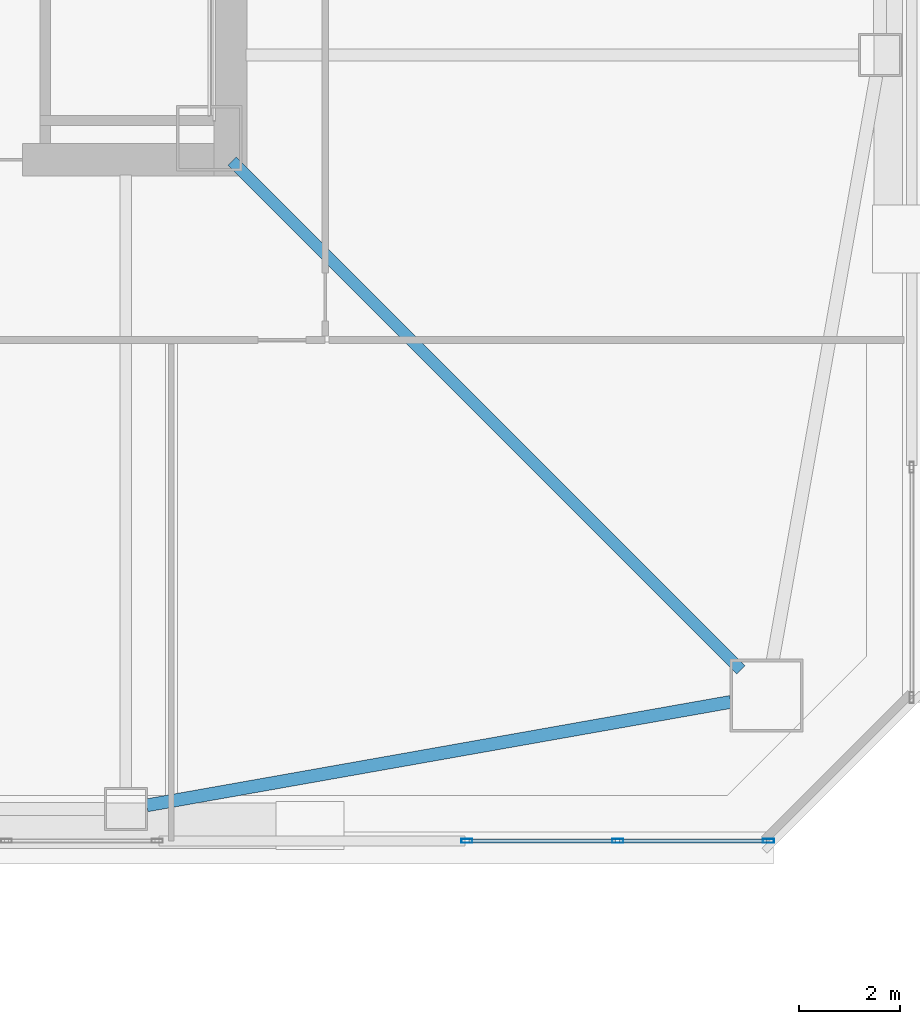
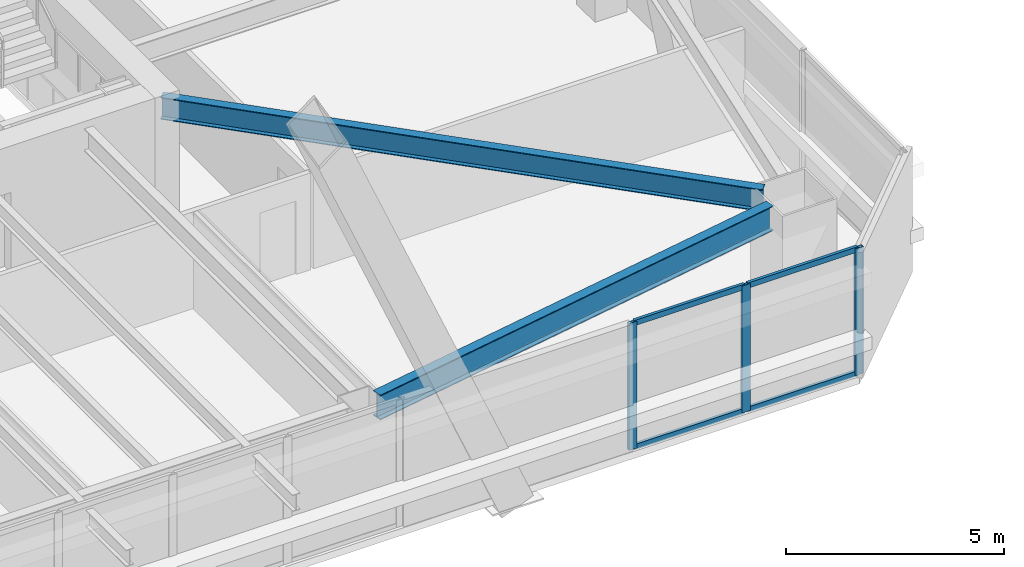
# One storey, part 12 of 54: 7 members, 2 beams, 1 element without a shape of its own.
"""IFC4 building model written with IfcOpenShell, lengths in metres."""

from ifc_helpers import new_model, si_unit, direction, frame, origin, origin_2d, place, context, subcontext, project, spatial, hollow_rectangle, i_section, extrude, material, material_profile, profile_set, type_object, element, aggregate, save


model = new_model("IFC4")

# Units and contexts
model_context = context("Model", 3, precision=1e-05, world=origin(), true_north=direction((0.0, 1.0)))
body_context = subcontext(model_context, "Body", "Model", "MODEL_VIEW")
ifc_project = project(units=[si_unit("LENGTHUNIT", "METRE"), si_unit("AREAUNIT", "SQUARE_METRE"), si_unit("VOLUMEUNIT", "CUBIC_METRE"), si_unit("PLANEANGLEUNIT", "RADIAN"), si_unit("MASSUNIT", "GRAM", prefix="KILO")], contexts=[model_context])

# Site, building, storey
site_placement = place(None, origin())
site = spatial("IfcSite", under=ifc_project, at=site_placement, CompositionType="ELEMENT")
building_placement = place(site_placement, origin())
building = spatial("IfcBuilding", under=site, at=building_placement, Name="Tashvorn Skyway Center", CompositionType="ELEMENT")
storey_placement = place(building_placement, frame((0.0, 0.0, 88.5)))
storey = spatial("IfcBuildingStorey", under=building, at=storey_placement, Name="L23", CompositionType="ELEMENT", Elevation=88.5)

# Beams
ifc_material_1 = material(Name="Steel ASTM A992 Grade 50", Category="steel")
ifc_material_profile_1 = material_profile(ifc_material_1, i_section(OverallWidth=0.22998046875, OverallDepth=0.616943359375, WebThickness=0.01318359375, FlangeThickness=0.022216796875, at=origin_2d()), Name="W24X94")
ifc_profile_set_1 = profile_set([ifc_material_profile_1], Name="Steel ASTM A992 Grade 50")
beam_type_1 = type_object("IfcBeamType", Name="BM-BEAM-W24X94", PredefinedType="BEAM", material=ifc_profile_set_1)
beam_1_placement = place(storey_placement, frame((59.5908203125, 14.4091796875, 3.04150390625), z_axis=(-0.707106781187, 0.707106781187, 0.0), x_axis=(-0.707106781187, -0.707106781187, 0.0)))
element("IfcBeam", 1, at=beam_1_placement, inside=storey, type_object=beam_type_1, Name="Tower 1 L23 Primary Floor Girder MC-SE", PredefinedType="BEAM", context=body_context, shape_type="SweptSolid", body=[
    extrude(i_section(OverallWidth=0.22998046875, OverallDepth=0.616943359375, WebThickness=0.01318359375, FlangeThickness=0.022216796875, at=origin_2d()), origin(), (0.0, 0.0, 1.0), 14.261962890625),
])
ifc_material_profile_2 = material_profile(ifc_material_1, i_section(OverallWidth=0.256103515625, OverallDepth=0.693115234375, WebThickness=0.014404296875, FlangeThickness=0.023681640625, at=origin_2d()), Name="W27X114")
ifc_profile_set_2 = profile_set([ifc_material_profile_2], Name="Steel ASTM A992 Grade 50")
beam_type_2 = type_object("IfcBeamType", Name="BM-SPANDREL-W27X114", PredefinedType="SPANDREL", material=ifc_profile_set_2)
beam_2_placement = place(storey_placement, frame((47.8134765625, 11.723388671875, 3.00341796875), z_axis=(0.98466816531, 0.174437966698, 0.0), x_axis=(-0.174437966698, 0.98466816531, 0.0)))
element("IfcBeam", 2, at=beam_2_placement, inside=storey, type_object=beam_type_2, Name="Tower 1 L23 Spandrel Beam 03", PredefinedType="SPANDREL", context=body_context, shape_type="SweptSolid", body=[
    extrude(i_section(OverallWidth=0.256103515625, OverallDepth=0.693115234375, WebThickness=0.014404296875, FlangeThickness=0.023681640625, at=origin_2d()), origin(), (0.0, 0.0, 1.0), 11.7578125),
])

# Curtain wall, members
ifc_material_2 = material(Name="Thermally broken bronze-anodized aluminium 6063-T6", Category="aluminium")
curtain_wall_type = type_object("IfcCurtainWallType", Name="CW-CW-Z2", PredefinedType="NOTDEFINED", material=ifc_material_2)
curtain_wall_placement = place(storey_placement, origin())
curtain_wall = element("IfcCurtainWall", 3, at=curtain_wall_placement, inside=storey, type_object=curtain_wall_type, Name="Tower 1 L23 South Unitised Curtain Wall Glazing Group 1", PredefinedType="NOTDEFINED")
ifc_material_profile_3 = material_profile(ifc_material_2, hollow_rectangle(XDim=0.080078125, YDim=0.219970703125, WallThickness=0.0048828125, at=origin_2d()), Name="ALU-MULL-80x220")
ifc_profile_set_3 = profile_set([ifc_material_profile_3], Name="Thermally broken bronze-anodized aluminium 6063-T6")
member_type_1 = type_object("IfcMemberType", Name="CWM-CW-Z2", PredefinedType="MULLION", material=ifc_profile_set_3)
member_1_placement = place(storey_placement, frame((60.139892578125, 11.02001953125, 0.0), z_axis=(0.0, 0.0, 1.0), x_axis=(0.0, -1.0, 0.0)))
member_1 = element("IfcMember", 4, at=member_1_placement, type_object=member_type_1, Name="CW-Z2 mullion 1", PredefinedType="MULLION", context=body_context, shape_type="SweptSolid", body=[
    extrude(hollow_rectangle(XDim=0.080078125, YDim=0.219970703125, WallThickness=0.0048828125, at=origin_2d()), origin(), (0.0, 0.0, 1.0), 3.550048828125),
])
member_2_placement = place(storey_placement, frame((57.14990234375, 11.02001953125, 0.0), z_axis=(0.0, 0.0, 1.0), x_axis=(0.0, -1.0, 0.0)))
member_2 = element("IfcMember", 5, at=member_2_placement, type_object=member_type_1, Name="CW-Z2 mullion 2", PredefinedType="MULLION", context=body_context, shape_type="SweptSolid", body=[
    extrude(hollow_rectangle(XDim=0.080078125, YDim=0.219970703125, WallThickness=0.0048828125, at=origin_2d()), origin(), (0.0, 0.0, 1.0), 3.550048828125),
])
member_3_placement = place(storey_placement, frame((54.159912109375, 11.02001953125, 0.0), z_axis=(0.0, 0.0, 1.0), x_axis=(0.0, -1.0, 0.0)))
member_3 = element("IfcMember", 6, at=member_3_placement, type_object=member_type_1, Name="CW-Z2 mullion 3", PredefinedType="MULLION", context=body_context, shape_type="SweptSolid", body=[
    extrude(hollow_rectangle(XDim=0.080078125, YDim=0.219970703125, WallThickness=0.0048828125, at=origin_2d()), origin(), (0.0, 0.0, 1.0), 3.550048828125),
])
ifc_material_profile_4 = material_profile(ifc_material_2, hollow_rectangle(XDim=0.080078125, YDim=0.14990234375, WallThickness=0.00439453125, at=origin_2d()), Name="ALU-TRAN-80x150")
ifc_profile_set_4 = profile_set([ifc_material_profile_4], Name="Thermally broken bronze-anodized aluminium 6063-T6")
member_type_2 = type_object("IfcMemberType", Name="CWT-CW-Z2", PredefinedType="USERDEFINED", material=ifc_profile_set_4)
member_4_placement = place(storey_placement, frame((60.10009765625, 11.02001953125, 0.0400390625), z_axis=(-1.0, 0.0, 0.0), x_axis=(0.0, -1.0, 0.0)))
member_4 = element("IfcMember", 7, at=member_4_placement, type_object=member_type_2, Name="CW-Z2 transom 1.1", ObjectType="TRANSOM", PredefinedType="USERDEFINED", context=body_context, shape_type="SweptSolid", body=[
    extrude(hollow_rectangle(XDim=0.080078125, YDim=0.14990234375, WallThickness=0.00439453125, at=origin_2d()), origin(), (0.0, 0.0, 1.0), 2.91015625),
])
member_5_placement = place(storey_placement, frame((60.10009765625, 11.02001953125, 3.510009765625), z_axis=(-1.0, 0.0, 0.0), x_axis=(0.0, -1.0, 0.0)))
member_5 = element("IfcMember", 8, at=member_5_placement, type_object=member_type_2, Name="CW-Z2 transom 1.2", ObjectType="TRANSOM", PredefinedType="USERDEFINED", context=body_context, shape_type="SweptSolid", body=[
    extrude(hollow_rectangle(XDim=0.080078125, YDim=0.14990234375, WallThickness=0.00439453125, at=origin_2d()), origin(), (0.0, 0.0, 1.0), 2.91015625),
])
member_6_placement = place(storey_placement, frame((57.110107421875, 11.02001953125, 0.0400390625), z_axis=(-1.0, 0.0, 0.0), x_axis=(0.0, -1.0, 0.0)))
member_6 = element("IfcMember", 9, at=member_6_placement, type_object=member_type_2, Name="CW-Z2 transom 2.1", ObjectType="TRANSOM", PredefinedType="USERDEFINED", context=body_context, shape_type="SweptSolid", body=[
    extrude(hollow_rectangle(XDim=0.080078125, YDim=0.14990234375, WallThickness=0.00439453125, at=origin_2d()), origin(), (0.0, 0.0, 1.0), 2.91015625),
])
member_7_placement = place(storey_placement, frame((57.110107421875, 11.02001953125, 3.510009765625), z_axis=(-1.0, 0.0, 0.0), x_axis=(0.0, -1.0, 0.0)))
member_7 = element("IfcMember", 10, at=member_7_placement, type_object=member_type_2, Name="CW-Z2 transom 2.2", ObjectType="TRANSOM", PredefinedType="USERDEFINED", context=body_context, shape_type="SweptSolid", body=[
    extrude(hollow_rectangle(XDim=0.080078125, YDim=0.14990234375, WallThickness=0.00439453125, at=origin_2d()), origin(), (0.0, 0.0, 1.0), 2.91015625),
])
aggregate(curtain_wall, [member_1, member_2, member_3, member_4, member_5, member_6, member_7])

save(model, "model.ifc")
